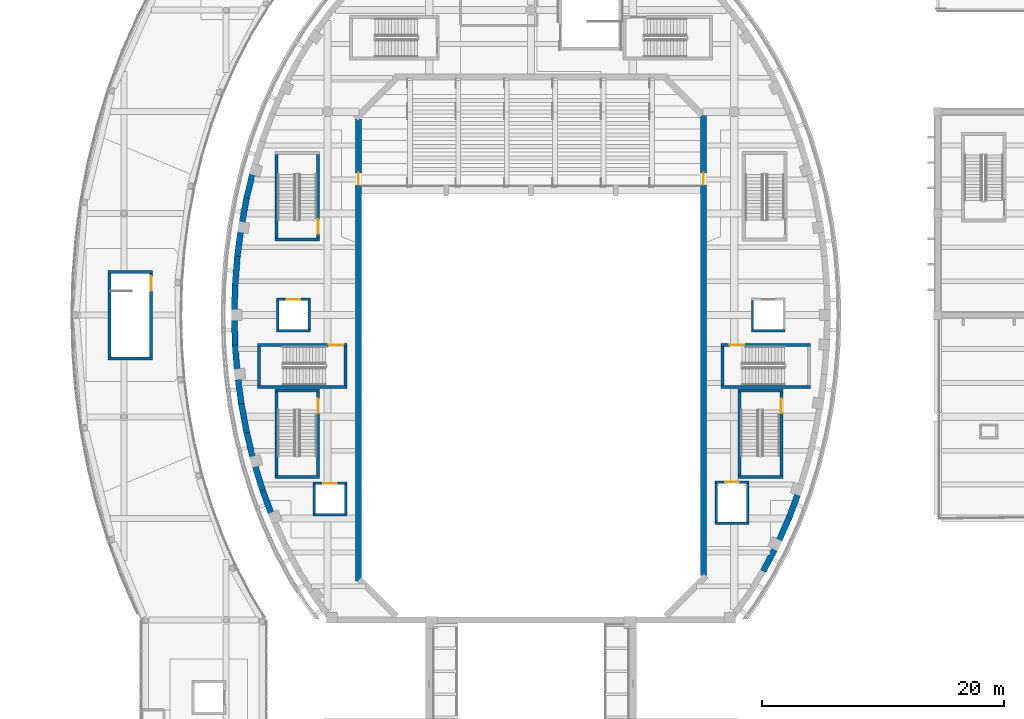
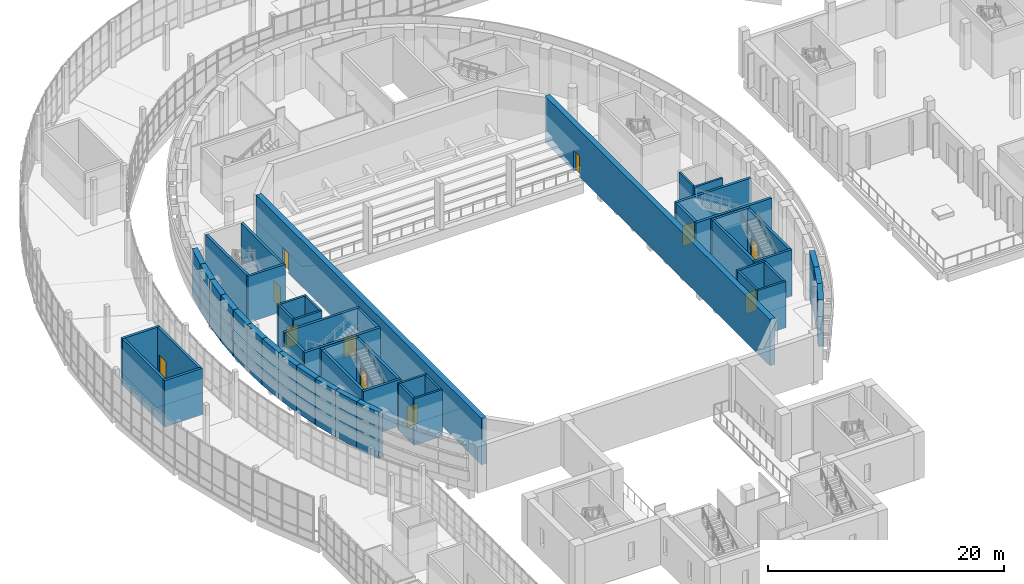
# One storey, part 59 of 103: 53 walls, 11 doors, 11 openings.
"""IFC4 building model written with IfcOpenShell, lengths in metres."""

from ifc_helpers import new_model, si_unit, direction, frame, frame_2d, origin, place, context, subcontext, project, spatial, rectangle, extrude, material, layer, layer_set, type_object, element, fill, save


model = new_model("IFC4")

# Units and contexts
model_context = context("Model", 3, precision=1e-05, world=origin(), true_north=direction((0.0, 1.0)))
body_context = subcontext(model_context, "Body", "Model", "MODEL_VIEW")
ifc_project = project(units=[si_unit("LENGTHUNIT", "METRE"), si_unit("AREAUNIT", "SQUARE_METRE"), si_unit("VOLUMEUNIT", "CUBIC_METRE"), si_unit("PLANEANGLEUNIT", "RADIAN"), si_unit("MASSUNIT", "GRAM", prefix="KILO")], contexts=[model_context])

# Site, building, storey
site_placement = place(None, origin())
site = spatial("IfcSite", under=ifc_project, at=site_placement, CompositionType="ELEMENT")
building_placement = place(site_placement, origin())
building = spatial("IfcBuilding", under=site, at=building_placement, Name="Larchfold Concert Hall", CompositionType="ELEMENT")
storey_placement = place(building_placement, frame((0.0, 0.0, 9.60009765625)))
storey = spatial("IfcBuildingStorey", under=building, at=storey_placement, Name="L02", CompositionType="ELEMENT", Elevation=9.60009765625)

# Wall
ifc_material_1 = material(Name="Concrete C40/50", Category="concrete")
ifc_layer_1 = layer(ifc_material_1, 0.199951171875)
ifc_layer_set_1 = layer_set([ifc_layer_1], Name="Concrete C40/50")
wall_type_1 = type_object("IfcWallType", Name="Wall RC 200 lift shaft", PredefinedType="SOLIDWALL", material=ifc_layer_set_1)
wall_1_placement = place(storey_placement, frame((57.800048828125, 67.400146484375, 0.0), z_axis=(0.0, 0.0, 1.0), x_axis=(1.0, 0.0, 0.0)))
element("IfcWall", 1, at=wall_1_placement, inside=storey, type_object=wall_type_1, Name="Wall W0131", PredefinedType="SOLIDWALL", context=body_context, shape_type="SweptSolid", body=[
    extrude(rectangle(XDim=2.800048828125, YDim=0.199951171875, at=frame_2d((1.39990234375, 0.0))), origin(), (0.0, 0.0, 1.0), 4.7998046875),
])

# Wall, opening, door
wall_2_placement = place(storey_placement, frame((57.800048828125, 70.7998046875, 0.0), z_axis=(0.0, 0.0, 1.0), x_axis=(1.0, 0.0, 0.0)))
wall_2 = element("IfcWall", 2, at=wall_2_placement, inside=storey, type_object=wall_type_1, Name="Wall W0132", PredefinedType="SOLIDWALL", context=body_context, shape_type="SweptSolid", body=[
    extrude(rectangle(XDim=2.800048828125, YDim=0.199951171875, at=frame_2d((1.39990234375, 0.0))), origin(), (0.0, 0.0, 1.0), 4.7998046875),
])
opening_1_placement = place(wall_2_placement, frame((0.85009765625, 0.0, 0.0)))
opening_1 = element("IfcOpeningElement", 3, at=opening_1_placement, cuts=wall_2, Name="Opening LD-LF01", PredefinedType="OPENING", context=body_context, shape_type="SweptSolid", body=[
    extrude(rectangle(XDim=1.10009765625, YDim=2.10009765625, at=frame_2d((0.550048828125, 1.050048828125))), frame((0.0, 0.10986328125, 0.0), z_axis=(0.0, -1.0, 0.0), x_axis=(1.0, 0.0, 0.0)), (0.0, 0.0, 1.0), 0.219970703125),
])
ifc_material_2 = material(Name="Stainless steel sliding leaves", Category="steel")
door_type_1 = type_object("IfcDoorType", Name="Lift landing door sliding 1100 x 2100", OperationType="SLIDING_TO_LEFT", PredefinedType="DOOR", material=ifc_material_2)
door_1_placement = place(opening_1_placement, origin())
door_1 = element("IfcDoor", 4, at=door_1_placement, inside=storey, type_object=door_type_1, Name="Lift landing door LF01", OperationType="SLIDING_TO_LEFT", OverallHeight=2.10009765625, OverallWidth=1.10009765625, PredefinedType="DOOR", context=body_context, shape_type="SweptSolid", body=[
    extrude(rectangle(XDim=1.10009765625, YDim=2.10009765625, at=frame_2d((0.550048828125, 1.050048828125))), frame((0.0, 0.02490234375, 0.0), z_axis=(0.0, -1.0, 0.0), x_axis=(1.0, 0.0, 0.0)), (0.0, 0.0, 1.0), 0.050048828125),
])
fill(opening_1, door_1)

# Walls
for number, where, z_axis, x_axis, name in (
    (5, (57.900146484375, 67.5, 0.0), (0.0, 0.0, 1.0), (0.0, 1.0, 0.0), "Wall W0133"),
    (6, (60.5, 67.5, 0.0), (0.0, 0.0, 1.0), (0.0, 1.0, 0.0), "Wall W0134"),
):
    element("IfcWall", number, at=place(storey_placement, frame(where, z_axis=z_axis, x_axis=x_axis)), inside=storey, type_object=wall_type_1, Name=name, PredefinedType="SOLIDWALL", context=body_context, shape_type="SweptSolid", body=[
        extrude(rectangle(XDim=3.199951171875, YDim=0.199951171875, at=frame_2d((1.60009765625, 0.0))), origin(), (0.0, 0.0, 1.0), 4.7998046875),
    ])
wall_3_placement = place(storey_placement, frame((24.60009765625, 68.10009765625, 0.0), z_axis=(0.0, 0.0, 1.0), x_axis=(1.0, 0.0, 0.0)))
element("IfcWall", 7, at=wall_3_placement, inside=storey, type_object=wall_type_1, Name="Wall W0135", PredefinedType="SOLIDWALL", context=body_context, shape_type="SweptSolid", body=[
    extrude(rectangle(XDim=2.7998046875, YDim=0.199951171875, at=frame_2d((1.39990234375, 0.0))), origin(), (0.0, 0.0, 1.0), 4.7998046875),
])

# Wall, opening, door
wall_4_placement = place(storey_placement, frame((24.60009765625, 70.699951171875, 0.0), z_axis=(0.0, 0.0, 1.0), x_axis=(1.0, 0.0, 0.0)))
wall_4 = element("IfcWall", 8, at=wall_4_placement, inside=storey, type_object=wall_type_1, Name="Wall W0136", PredefinedType="SOLIDWALL", context=body_context, shape_type="SweptSolid", body=[
    extrude(rectangle(XDim=2.7998046875, YDim=0.199951171875, at=frame_2d((1.39990234375, 0.0))), origin(), (0.0, 0.0, 1.0), 4.7998046875),
])
opening_2_placement = place(wall_4_placement, frame((0.849853515625, 0.0, 0.0)))
opening_2 = element("IfcOpeningElement", 9, at=opening_2_placement, cuts=wall_4, Name="Opening LD-LF02", PredefinedType="OPENING", context=body_context, shape_type="SweptSolid", body=[
    extrude(rectangle(XDim=1.10009765625, YDim=2.10009765625, at=frame_2d((0.550048828125, 1.050048828125))), frame((0.0, 0.10986328125, 0.0), z_axis=(0.0, -1.0, 0.0), x_axis=(1.0, 0.0, 0.0)), (0.0, 0.0, 1.0), 0.219970703125),
])
door_2_placement = place(opening_2_placement, origin())
door_2 = element("IfcDoor", 10, at=door_2_placement, inside=storey, type_object=door_type_1, Name="Lift landing door LF02", OperationType="SLIDING_TO_LEFT", OverallHeight=2.10009765625, OverallWidth=1.10009765625, PredefinedType="DOOR", context=body_context, shape_type="SweptSolid", body=[
    extrude(rectangle(XDim=1.10009765625, YDim=2.10009765625, at=frame_2d((0.550048828125, 1.050048828125))), frame((0.0, 0.02490234375, 0.0), z_axis=(0.0, -1.0, 0.0), x_axis=(1.0, 0.0, 0.0)), (0.0, 0.0, 1.0), 0.050048828125),
])
fill(opening_2, door_2)

# Walls
for number, where, z_axis, x_axis, name in (
    (11, (24.7001953125, 68.199951171875, 0.0), (0.0, 0.0, 1.0), (0.0, 1.0, 0.0), "Wall W0137"),
    (12, (27.2998046875, 68.199951171875, 0.0), (0.0, 0.0, 1.0), (0.0, 1.0, 0.0), "Wall W0138"),
):
    element("IfcWall", number, at=place(storey_placement, frame(where, z_axis=z_axis, x_axis=x_axis)), inside=storey, type_object=wall_type_1, Name=name, PredefinedType="SOLIDWALL", context=body_context, shape_type="SweptSolid", body=[
        extrude(rectangle(XDim=2.400146484375, YDim=0.199951171875, at=frame_2d((1.2001953125, 0.0))), origin(), (0.0, 0.0, 1.0), 4.7998046875),
    ])
wall_5_placement = place(storey_placement, frame((60.800048828125, 83.300048828125, 0.0), z_axis=(0.0, 0.0, 1.0), x_axis=(1.0, 0.0, 0.0)))
element("IfcWall", 13, at=wall_5_placement, inside=storey, type_object=wall_type_1, Name="Wall W0139", PredefinedType="SOLIDWALL", context=body_context, shape_type="SweptSolid", body=[
    extrude(rectangle(XDim=2.800048828125, YDim=0.199951171875, at=frame_2d((1.39990234375, 0.0))), origin(), (0.0, 0.0, 1.0), 4.7998046875),
])
wall_6_placement = place(storey_placement, frame((60.900146484375, 83.39990234375, 0.0), z_axis=(0.0, 0.0, 1.0), x_axis=(0.0, 1.0, 0.0)))
element("IfcWall", 14, at=wall_6_placement, inside=storey, type_object=wall_type_1, Name="Wall W0141", PredefinedType="SOLIDWALL", context=body_context, shape_type="SweptSolid", body=[
    extrude(rectangle(XDim=2.400146484375, YDim=0.199951171875, at=frame_2d((1.2001953125, 0.0))), origin(), (0.0, 0.0, 1.0), 4.7998046875),
])
wall_7_placement = place(storey_placement, frame((21.60009765625, 83.300048828125, 0.0), z_axis=(0.0, 0.0, 1.0), x_axis=(1.0, 0.0, 0.0)))
element("IfcWall", 15, at=wall_7_placement, inside=storey, type_object=wall_type_1, Name="Wall W0143", PredefinedType="SOLIDWALL", context=body_context, shape_type="SweptSolid", body=[
    extrude(rectangle(XDim=2.7998046875, YDim=0.199951171875, at=frame_2d((1.39990234375, 0.0))), origin(), (0.0, 0.0, 1.0), 4.7998046875),
])

# Wall, opening, door
wall_8_placement = place(storey_placement, frame((21.60009765625, 85.89990234375, 0.0), z_axis=(0.0, 0.0, 1.0), x_axis=(1.0, 0.0, 0.0)))
wall_8 = element("IfcWall", 16, at=wall_8_placement, inside=storey, type_object=wall_type_1, Name="Wall W0144", PredefinedType="SOLIDWALL", context=body_context, shape_type="SweptSolid", body=[
    extrude(rectangle(XDim=2.7998046875, YDim=0.199951171875, at=frame_2d((1.39990234375, 0.0))), origin(), (0.0, 0.0, 1.0), 4.7998046875),
])
opening_3_placement = place(wall_8_placement, frame((0.849853515625, 0.0, 0.0)))
opening_3 = element("IfcOpeningElement", 17, at=opening_3_placement, cuts=wall_8, Name="Opening LD-LF04", PredefinedType="OPENING", context=body_context, shape_type="SweptSolid", body=[
    extrude(rectangle(XDim=1.10009765625, YDim=2.10009765625, at=frame_2d((0.550048828125, 1.050048828125))), frame((0.0, 0.10986328125, 0.0), z_axis=(0.0, -1.0, 0.0), x_axis=(1.0, 0.0, 0.0)), (0.0, 0.0, 1.0), 0.219970703125),
])
door_3_placement = place(opening_3_placement, origin())
door_3 = element("IfcDoor", 18, at=door_3_placement, inside=storey, type_object=door_type_1, Name="Lift landing door LF04", OperationType="SLIDING_TO_LEFT", OverallHeight=2.10009765625, OverallWidth=1.10009765625, PredefinedType="DOOR", context=body_context, shape_type="SweptSolid", body=[
    extrude(rectangle(XDim=1.10009765625, YDim=2.10009765625, at=frame_2d((0.550048828125, 1.050048828125))), frame((0.0, 0.02490234375, 0.0), z_axis=(0.0, -1.0, 0.0), x_axis=(1.0, 0.0, 0.0)), (0.0, 0.0, 1.0), 0.050048828125),
])
fill(opening_3, door_3)

# Walls
for number, where, z_axis, x_axis, name in (
    (19, (21.7001953125, 83.39990234375, 0.0), (0.0, 0.0, 1.0), (0.0, 1.0, 0.0), "Wall W0145"),
    (20, (24.2998046875, 83.39990234375, 0.0), (0.0, 0.0, 1.0), (0.0, 1.0, 0.0), "Wall W0146"),
):
    element("IfcWall", number, at=place(storey_placement, frame(where, z_axis=z_axis, x_axis=x_axis)), inside=storey, type_object=wall_type_1, Name=name, PredefinedType="SOLIDWALL", context=body_context, shape_type="SweptSolid", body=[
        extrude(rectangle(XDim=2.400146484375, YDim=0.199951171875, at=frame_2d((1.2001953125, 0.0))), origin(), (0.0, 0.0, 1.0), 4.7998046875),
    ])
ifc_material_3 = material(Name="Concrete C40/50", Category="concrete")
ifc_layer_2 = layer(ifc_material_3, 0.25)
ifc_layer_set_2 = layer_set([ifc_layer_2], Name="Concrete C40/50")
wall_type_2 = type_object("IfcWallType", Name="Wall RC 250 stair core", PredefinedType="SOLIDWALL", material=ifc_layer_set_2)
wall_9_placement = place(storey_placement, frame((21.449951171875, 90.824951171875, 0.0), z_axis=(0.0, 0.0, 1.0), x_axis=(1.0, 0.0, 0.0)))
element("IfcWall", 21, at=wall_9_placement, inside=storey, type_object=wall_type_2, Name="Wall W0043", PredefinedType="SOLIDWALL", context=body_context, shape_type="SweptSolid", body=[
    extrude(rectangle(XDim=3.699951171875, YDim=0.25, at=frame_2d((1.85009765625, 0.0))), origin(), (0.0, 0.0, 1.0), 4.7998046875),
])
wall_10_placement = place(storey_placement, frame((21.574951171875, 90.949951171875, 0.0), z_axis=(0.0, 0.0, 1.0), x_axis=(0.0, 1.0, 0.0)))
element("IfcWall", 22, at=wall_10_placement, inside=storey, type_object=wall_type_2, Name="Wall W0045", PredefinedType="SOLIDWALL", context=body_context, shape_type="SweptSolid", body=[
    extrude(rectangle(XDim=6.900146484375, YDim=0.25, at=frame_2d((3.4501953125, 0.0))), origin(), (0.0, 0.0, 1.0), 4.7998046875),
])

# Wall, opening, door
wall_11_placement = place(storey_placement, frame((25.02490234375, 90.949951171875, 0.0), z_axis=(0.0, 0.0, 1.0), x_axis=(0.0, 1.0, 0.0)))
wall_11 = element("IfcWall", 23, at=wall_11_placement, inside=storey, type_object=wall_type_2, Name="Wall W0046", PredefinedType="SOLIDWALL", context=body_context, shape_type="SweptSolid", body=[
    extrude(rectangle(XDim=6.900146484375, YDim=0.25, at=frame_2d((3.4501953125, 0.0))), origin(), (0.0, 0.0, 1.0), 4.7998046875),
])
opening_4_placement = place(wall_11_placement, frame((0.35009765625, 0.0, 0.0)))
opening_4 = element("IfcOpeningElement", 24, at=opening_4_placement, cuts=wall_11, Name="Opening D-L02-140", PredefinedType="OPENING", context=body_context, shape_type="SweptSolid", body=[
    extrude(rectangle(XDim=1.199951171875, YDim=2.10009765625, at=frame_2d((0.60009765625, 1.050048828125))), frame((0.0, 0.135009765625, 0.0), z_axis=(0.0, -1.0, 0.0), x_axis=(1.0, 0.0, 0.0)), (0.0, 0.0, 1.0), 0.27001953125),
])
ifc_material_4 = material(Name="Timber door leaf", Category="wood")
door_type_2 = type_object("IfcDoorType", Name="Stair enclosure door pair 1200 x 2100 FD60", OperationType="SINGLE_SWING_LEFT", PredefinedType="DOOR", material=ifc_material_4)
door_4_placement = place(opening_4_placement, origin())
door_4 = element("IfcDoor", 25, at=door_4_placement, inside=storey, type_object=door_type_2, Name="Door D-L02-140", OperationType="DOUBLE_DOOR_SINGLE_SWING", OverallHeight=2.10009765625, OverallWidth=1.199951171875, PredefinedType="DOOR", context=body_context, shape_type="SweptSolid", body=[
    extrude(rectangle(XDim=1.199951171875, YDim=2.10009765625, at=frame_2d((0.60009765625, 1.050048828125))), frame((0.0, 0.02490234375, 0.0), z_axis=(0.0, -1.0, 0.0), x_axis=(1.0, 0.0, 0.0)), (0.0, 0.0, 1.0), 0.050048828125),
])
fill(opening_4, door_4)

# Walls
for number, where, z_axis, x_axis, name in (
    (26, (21.449951171875, 71.22509765625, 0.0), (0.0, 0.0, 1.0), (1.0, 0.0, 0.0), "Wall W0047"),
    (27, (21.449951171875, 78.375, 0.0), (0.0, 0.0, 1.0), (1.0, 0.0, 0.0), "Wall W0048"),
):
    element("IfcWall", number, at=place(storey_placement, frame(where, z_axis=z_axis, x_axis=x_axis)), inside=storey, type_object=wall_type_2, Name=name, PredefinedType="SOLIDWALL", context=body_context, shape_type="SweptSolid", body=[
        extrude(rectangle(XDim=3.699951171875, YDim=0.25, at=frame_2d((1.85009765625, 0.0))), origin(), (0.0, 0.0, 1.0), 4.7998046875),
    ])
wall_12_placement = place(storey_placement, frame((21.574951171875, 71.35009765625, 0.0), z_axis=(0.0, 0.0, 1.0), x_axis=(0.0, 1.0, 0.0)))
element("IfcWall", 28, at=wall_12_placement, inside=storey, type_object=wall_type_2, Name="Wall W0049", PredefinedType="SOLIDWALL", context=body_context, shape_type="SweptSolid", body=[
    extrude(rectangle(XDim=6.89990234375, YDim=0.25, at=frame_2d((3.449951171875, 0.0))), origin(), (0.0, 0.0, 1.0), 4.7998046875),
])

# Wall, opening, door
wall_13_placement = place(storey_placement, frame((25.02490234375, 71.35009765625, 0.0), z_axis=(0.0, 0.0, 1.0), x_axis=(0.0, 1.0, 0.0)))
wall_13 = element("IfcWall", 29, at=wall_13_placement, inside=storey, type_object=wall_type_2, Name="Wall W0050", PredefinedType="SOLIDWALL", context=body_context, shape_type="SweptSolid", body=[
    extrude(rectangle(XDim=6.89990234375, YDim=0.25, at=frame_2d((3.449951171875, 0.0))), origin(), (0.0, 0.0, 1.0), 4.7998046875),
])
opening_5_placement = place(wall_13_placement, frame((5.14990234375, 0.0, 0.0)))
opening_5 = element("IfcOpeningElement", 30, at=opening_5_placement, cuts=wall_13, Name="Opening D-L02-136", PredefinedType="OPENING", context=body_context, shape_type="SweptSolid", body=[
    extrude(rectangle(XDim=1.199951171875, YDim=2.10009765625, at=frame_2d((0.60009765625, 1.050048828125))), frame((0.0, 0.135009765625, 0.0), z_axis=(0.0, -1.0, 0.0), x_axis=(1.0, 0.0, 0.0)), (0.0, 0.0, 1.0), 0.27001953125),
])
door_5_placement = place(opening_5_placement, origin())
door_5 = element("IfcDoor", 31, at=door_5_placement, inside=storey, type_object=door_type_2, Name="Door D-L02-136", OperationType="DOUBLE_DOOR_SINGLE_SWING", OverallHeight=2.10009765625, OverallWidth=1.199951171875, PredefinedType="DOOR", context=body_context, shape_type="SweptSolid", body=[
    extrude(rectangle(XDim=1.199951171875, YDim=2.10009765625, at=frame_2d((0.60009765625, 1.050048828125))), frame((0.0, 0.02490234375, 0.0), z_axis=(0.0, -1.0, 0.0), x_axis=(1.0, 0.0, 0.0)), (0.0, 0.0, 1.0), 0.050048828125),
])
fill(opening_5, door_5)

# Walls
for number, where, z_axis, x_axis, name in (
    (32, (59.699951171875, 71.22509765625, 0.0), (0.0, 0.0, 1.0), (1.0, 0.0, 0.0), "Wall W0051"),
    (33, (59.699951171875, 78.375, 0.0), (0.0, 0.0, 1.0), (1.0, 0.0, 0.0), "Wall W0052"),
):
    element("IfcWall", number, at=place(storey_placement, frame(where, z_axis=z_axis, x_axis=x_axis)), inside=storey, type_object=wall_type_2, Name=name, PredefinedType="SOLIDWALL", context=body_context, shape_type="SweptSolid", body=[
        extrude(rectangle(XDim=3.699951171875, YDim=0.25, at=frame_2d((1.85009765625, 0.0))), origin(), (0.0, 0.0, 1.0), 4.7998046875),
    ])
wall_14_placement = place(storey_placement, frame((59.824951171875, 71.35009765625, 0.0), z_axis=(0.0, 0.0, 1.0), x_axis=(0.0, 1.0, 0.0)))
element("IfcWall", 34, at=wall_14_placement, inside=storey, type_object=wall_type_2, Name="Wall W0053", PredefinedType="SOLIDWALL", context=body_context, shape_type="SweptSolid", body=[
    extrude(rectangle(XDim=6.89990234375, YDim=0.25, at=frame_2d((3.449951171875, 0.0))), origin(), (0.0, 0.0, 1.0), 4.7998046875),
])

# Wall, opening, door
wall_15_placement = place(storey_placement, frame((63.27490234375, 71.35009765625, 0.0), z_axis=(0.0, 0.0, 1.0), x_axis=(0.0, 1.0, 0.0)))
wall_15 = element("IfcWall", 35, at=wall_15_placement, inside=storey, type_object=wall_type_2, Name="Wall W0054", PredefinedType="SOLIDWALL", context=body_context, shape_type="SweptSolid", body=[
    extrude(rectangle(XDim=6.89990234375, YDim=0.25, at=frame_2d((3.449951171875, 0.0))), origin(), (0.0, 0.0, 1.0), 4.7998046875),
])
opening_6_placement = place(wall_15_placement, frame((5.14990234375, 0.0, 0.0)))
opening_6 = element("IfcOpeningElement", 36, at=opening_6_placement, cuts=wall_15, Name="Opening D-L02-137", PredefinedType="OPENING", context=body_context, shape_type="SweptSolid", body=[
    extrude(rectangle(XDim=1.199951171875, YDim=2.10009765625, at=frame_2d((0.60009765625, 1.050048828125))), frame((0.0, 0.135009765625, 0.0), z_axis=(0.0, -1.0, 0.0), x_axis=(1.0, 0.0, 0.0)), (0.0, 0.0, 1.0), 0.27001953125),
])
door_6_placement = place(opening_6_placement, origin())
door_6 = element("IfcDoor", 37, at=door_6_placement, inside=storey, type_object=door_type_2, Name="Door D-L02-137", OperationType="DOUBLE_DOOR_SINGLE_SWING", OverallHeight=2.10009765625, OverallWidth=1.199951171875, PredefinedType="DOOR", context=body_context, shape_type="SweptSolid", body=[
    extrude(rectangle(XDim=1.199951171875, YDim=2.10009765625, at=frame_2d((0.60009765625, 1.050048828125))), frame((0.0, 0.02490234375, 0.0), z_axis=(0.0, -1.0, 0.0), x_axis=(1.0, 0.0, 0.0)), (0.0, 0.0, 1.0), 0.050048828125),
])
fill(opening_6, door_6)

# Wall
wall_16_placement = place(storey_placement, frame((20.0, 78.675048828125, 0.0), z_axis=(0.0, 0.0, 1.0), x_axis=(1.0, 0.0, 0.0)))
element("IfcWall", 38, at=wall_16_placement, inside=storey, type_object=wall_type_2, Name="Wall W0055", PredefinedType="SOLIDWALL", context=body_context, shape_type="SweptSolid", body=[
    extrude(rectangle(XDim=7.39990234375, YDim=0.25, at=frame_2d((3.699951171875, 0.0))), origin(), (0.0, 0.0, 1.0), 4.7998046875),
])

# Wall, opening, door
wall_17_placement = place(storey_placement, frame((20.0, 82.125, 0.0), z_axis=(0.0, 0.0, 1.0), x_axis=(1.0, 0.0, 0.0)))
wall_17 = element("IfcWall", 39, at=wall_17_placement, inside=storey, type_object=wall_type_2, Name="Wall W0056", PredefinedType="SOLIDWALL", context=body_context, shape_type="SweptSolid", body=[
    extrude(rectangle(XDim=7.39990234375, YDim=0.25, at=frame_2d((3.699951171875, 0.0))), origin(), (0.0, 0.0, 1.0), 4.7998046875),
])
opening_7_placement = place(wall_17_placement, frame((5.89990234375, 0.0, 0.0)))
opening_7 = element("IfcOpeningElement", 40, at=opening_7_placement, cuts=wall_17, Name="Opening D-L02-138", PredefinedType="OPENING", context=body_context, shape_type="SweptSolid", body=[
    extrude(rectangle(XDim=1.199951171875, YDim=2.10009765625, at=frame_2d((0.60009765625, 1.050048828125))), frame((0.0, 0.135009765625, 0.0), z_axis=(0.0, -1.0, 0.0), x_axis=(1.0, 0.0, 0.0)), (0.0, 0.0, 1.0), 0.27001953125),
])
door_7_placement = place(opening_7_placement, origin())
door_7 = element("IfcDoor", 41, at=door_7_placement, inside=storey, type_object=door_type_2, Name="Door D-L02-138", OperationType="DOUBLE_DOOR_SINGLE_SWING", OverallHeight=2.10009765625, OverallWidth=1.199951171875, PredefinedType="DOOR", context=body_context, shape_type="SweptSolid", body=[
    extrude(rectangle(XDim=1.199951171875, YDim=2.10009765625, at=frame_2d((0.60009765625, 1.050048828125))), frame((0.0, 0.02490234375, 0.0), z_axis=(0.0, -1.0, 0.0), x_axis=(1.0, 0.0, 0.0)), (0.0, 0.0, 1.0), 0.050048828125),
])
fill(opening_7, door_7)

# Walls
for number, where, z_axis, x_axis, name in (
    (42, (20.125, 78.800048828125, 0.0), (0.0, 0.0, 1.0), (0.0, 1.0, 0.0), "Wall W0057"),
    (43, (27.27490234375, 78.800048828125, 0.0), (0.0, 0.0, 1.0), (0.0, 1.0, 0.0), "Wall W0058"),
):
    element("IfcWall", number, at=place(storey_placement, frame(where, z_axis=z_axis, x_axis=x_axis)), inside=storey, type_object=wall_type_2, Name=name, PredefinedType="SOLIDWALL", context=body_context, shape_type="SweptSolid", body=[
        extrude(rectangle(XDim=3.199951171875, YDim=0.25, at=frame_2d((1.60009765625, 0.0))), origin(), (0.0, 0.0, 1.0), 4.7998046875),
    ])
wall_18_placement = place(storey_placement, frame((58.300048828125, 78.675048828125, 0.0), z_axis=(0.0, 0.0, 1.0), x_axis=(1.0, 0.0, 0.0)))
element("IfcWall", 44, at=wall_18_placement, inside=storey, type_object=wall_type_2, Name="Wall W0059", PredefinedType="SOLIDWALL", context=body_context, shape_type="SweptSolid", body=[
    extrude(rectangle(XDim=7.39990234375, YDim=0.25, at=frame_2d((3.699951171875, 0.0))), origin(), (0.0, 0.0, 1.0), 4.7998046875),
])

# Wall, opening, door
wall_19_placement = place(storey_placement, frame((58.300048828125, 82.125, 0.0), z_axis=(0.0, 0.0, 1.0), x_axis=(1.0, 0.0, 0.0)))
wall_19 = element("IfcWall", 45, at=wall_19_placement, inside=storey, type_object=wall_type_2, Name="Wall W0060", PredefinedType="SOLIDWALL", context=body_context, shape_type="SweptSolid", body=[
    extrude(rectangle(XDim=7.39990234375, YDim=0.25, at=frame_2d((3.699951171875, 0.0))), origin(), (0.0, 0.0, 1.0), 4.7998046875),
])
opening_8_placement = place(wall_19_placement, frame((0.699951171875, 0.0, 0.0)))
opening_8 = element("IfcOpeningElement", 46, at=opening_8_placement, cuts=wall_19, Name="Opening D-L02-139", PredefinedType="OPENING", context=body_context, shape_type="SweptSolid", body=[
    extrude(rectangle(XDim=1.199951171875, YDim=2.10009765625, at=frame_2d((0.60009765625, 1.050048828125))), frame((0.0, 0.135009765625, 0.0), z_axis=(0.0, -1.0, 0.0), x_axis=(1.0, 0.0, 0.0)), (0.0, 0.0, 1.0), 0.27001953125),
])
door_8_placement = place(opening_8_placement, origin())
door_8 = element("IfcDoor", 47, at=door_8_placement, inside=storey, type_object=door_type_2, Name="Door D-L02-139", OperationType="DOUBLE_DOOR_SINGLE_SWING", OverallHeight=2.10009765625, OverallWidth=1.199951171875, PredefinedType="DOOR", context=body_context, shape_type="SweptSolid", body=[
    extrude(rectangle(XDim=1.199951171875, YDim=2.10009765625, at=frame_2d((0.60009765625, 1.050048828125))), frame((0.0, 0.02490234375, 0.0), z_axis=(0.0, -1.0, 0.0), x_axis=(1.0, 0.0, 0.0)), (0.0, 0.0, 1.0), 0.050048828125),
])
fill(opening_8, door_8)

# Walls
wall_20_placement = place(storey_placement, frame((58.425048828125, 78.800048828125, 0.0), z_axis=(0.0, 0.0, 1.0), x_axis=(0.0, 1.0, 0.0)))
element("IfcWall", 48, at=wall_20_placement, inside=storey, type_object=wall_type_2, Name="Wall W0061", PredefinedType="SOLIDWALL", context=body_context, shape_type="SweptSolid", body=[
    extrude(rectangle(XDim=3.199951171875, YDim=0.25, at=frame_2d((1.60009765625, 0.0))), origin(), (0.0, 0.0, 1.0), 4.7998046875),
])
for number, where, z_axis, x_axis, name in (
    (49, (7.64990234375, 81.02490234375, 0.0), (0.0, 0.0, 1.0), (1.0, 0.0, 0.0), "Wall W0115"),
    (50, (7.64990234375, 88.175048828125, 0.0), (0.0, 0.0, 1.0), (1.0, 0.0, 0.0), "Wall W0116"),
):
    element("IfcWall", number, at=place(storey_placement, frame(where, z_axis=z_axis, x_axis=x_axis)), inside=storey, type_object=wall_type_2, Name=name, PredefinedType="SOLIDWALL", context=body_context, shape_type="SweptSolid", body=[
        extrude(rectangle(XDim=3.7001953125, YDim=0.25, at=frame_2d((1.85009765625, 0.0))), origin(), (0.0, 0.0, 1.0), 4.7998046875),
    ])
wall_21_placement = place(storey_placement, frame((7.77490234375, 81.14990234375, 0.0), z_axis=(0.0, 0.0, 1.0), x_axis=(0.0, 1.0, 0.0)))
element("IfcWall", 51, at=wall_21_placement, inside=storey, type_object=wall_type_2, Name="Wall W0117", PredefinedType="SOLIDWALL", context=body_context, shape_type="SweptSolid", body=[
    extrude(rectangle(XDim=6.900146484375, YDim=0.25, at=frame_2d((3.4501953125, 0.0))), origin(), (0.0, 0.0, 1.0), 4.7998046875),
])

# Wall, opening, door
wall_22_placement = place(storey_placement, frame((11.22509765625, 81.14990234375, 0.0), z_axis=(0.0, 0.0, 1.0), x_axis=(0.0, 1.0, 0.0)))
wall_22 = element("IfcWall", 52, at=wall_22_placement, inside=storey, type_object=wall_type_2, Name="Wall W0118", PredefinedType="SOLIDWALL", context=body_context, shape_type="SweptSolid", body=[
    extrude(rectangle(XDim=6.900146484375, YDim=0.25, at=frame_2d((3.4501953125, 0.0))), origin(), (0.0, 0.0, 1.0), 4.7998046875),
])
opening_9_placement = place(wall_22_placement, frame((5.449951171875, 0.0, 0.0)))
opening_9 = element("IfcOpeningElement", 53, at=opening_9_placement, cuts=wall_22, Name="Opening D-L02-158", PredefinedType="OPENING", context=body_context, shape_type="SweptSolid", body=[
    extrude(rectangle(XDim=1.199951171875, YDim=2.10009765625, at=frame_2d((0.60009765625, 1.050048828125))), frame((0.0, 0.135009765625, 0.0), z_axis=(0.0, -1.0, 0.0), x_axis=(1.0, 0.0, 0.0)), (0.0, 0.0, 1.0), 0.27001953125),
])
door_9_placement = place(opening_9_placement, origin())
door_9 = element("IfcDoor", 54, at=door_9_placement, inside=storey, type_object=door_type_2, Name="Door D-L02-158", OperationType="DOUBLE_DOOR_SINGLE_SWING", OverallHeight=2.10009765625, OverallWidth=1.199951171875, PredefinedType="DOOR", context=body_context, shape_type="SweptSolid", body=[
    extrude(rectangle(XDim=1.199951171875, YDim=2.10009765625, at=frame_2d((0.60009765625, 1.050048828125))), frame((0.0, 0.02490234375, 0.0), z_axis=(0.0, -1.0, 0.0), x_axis=(1.0, 0.0, 0.0)), (0.0, 0.0, 1.0), 0.050048828125),
])
fill(opening_9, door_9)

# Walls
ifc_material_5 = material(Name="Concrete C30/37", Category="concrete")
ifc_layer_3 = layer(ifc_material_5, 0.5)
ifc_layer_set_3 = layer_set([ifc_layer_3], Name="Concrete C30/37")
wall_type_3 = type_object("IfcWallType", Name="Wall RC 500 drum facade", PredefinedType="SOLIDWALL", material=ifc_layer_set_3)
for number, where, z_axis, x_axis, name in (
    (55, (19.685302734375, 96.63134765625, 0.0), (0.0, 0.0, 1.0), (-0.235921551206, -0.971772103776, 0.0), "Wall DW034"),
    (56, (19.111083984375, 94.26611328125, 0.0), (0.0, 0.0, 1.0), (-0.182362243365, -0.983231413348, 0.0), "Wall DW035"),
    (57, (18.667236328125, 91.873046875, 0.0), (0.0, 0.0, 1.0), (-0.129699392582, -0.991553360926, 0.0), "Wall DW036"),
    (58, (18.3515625, 89.459716796875, 0.0), (0.0, 0.0, 1.0), (-0.077540262419, -0.996989221458, 0.0), "Wall DW037"),
    (59, (18.162841796875, 87.033203125, 0.0), (0.0, 0.0, 1.0), (-0.025779107921, -0.999667663574, 0.0), "Wall DW038"),
):
    element("IfcWall", number, at=place(storey_placement, frame(where, z_axis=z_axis, x_axis=x_axis)), inside=storey, type_object=wall_type_3, Name=name, PredefinedType="SOLIDWALL", context=body_context, shape_type="SweptSolid", body=[
        extrude(rectangle(XDim=2.433837890625, YDim=0.5, at=frame_2d((1.216796875, 0.0))), origin(), (0.0, 0.0, 1.0), 4.7998046875),
    ])
wall_23_placement = place(storey_placement, frame((18.10009765625, 84.60009765625, 0.0), z_axis=(0.0, 0.0, 1.0), x_axis=(0.02591869307, -0.999664054245, 0.0)))
element("IfcWall", 60, at=wall_23_placement, inside=storey, type_object=wall_type_3, Name="Wall DW039", PredefinedType="SOLIDWALL", context=body_context, shape_type="SweptSolid", body=[
    extrude(rectangle(XDim=2.448974609375, YDim=0.5, at=frame_2d((1.224609375, 0.0))), origin(), (0.0, 0.0, 1.0), 4.7998046875),
])
wall_24_placement = place(storey_placement, frame((18.16357421875, 82.15185546875, 0.0), z_axis=(0.0, 0.0, 1.0), x_axis=(0.078053315948, -0.996949186202, 0.0)))
element("IfcWall", 61, at=wall_24_placement, inside=storey, type_object=wall_type_3, Name="Wall DW040", PredefinedType="SOLIDWALL", context=body_context, shape_type="SweptSolid", body=[
    extrude(rectangle(XDim=2.44921875, YDim=0.5, at=frame_2d((1.224609375, 0.0))), origin(), (0.0, 0.0, 1.0), 4.7998046875),
])
for number, where, z_axis, x_axis, name in (
    (62, (18.354736328125, 79.710205078125, 0.0), (0.0, 0.0, 1.0), (0.130498353005, -0.991448526078, 0.0), "Wall DW041"),
    (63, (18.67431640625, 77.2822265625, 0.0), (0.0, 0.0, 1.0), (0.183524085598, -0.983015213517, 0.0), "Wall DW042"),
    (64, (19.123779296875, 74.874755859375, 0.0), (0.0, 0.0, 1.0), (0.237465633216, -0.971395940408, 0.0), "Wall DW043"),
    (65, (19.705322265625, 72.495849609375, 0.0), (0.0, 0.0, 1.0), (0.29250219685, -0.95626485078, 0.0), "Wall DW044"),
    (66, (20.421630859375, 70.154052734375, 0.0), (0.0, 0.0, 1.0), (0.348817204426, -0.937190779882, 0.0), "Wall DW045"),
    (67, (61.785888671875, 63.45556640625, 0.0), (0.0, 0.0, 1.0), (0.466448872517, 0.884548161112, 0.0), "Wall DW053"),
):
    element("IfcWall", number, at=place(storey_placement, frame(where, z_axis=z_axis, x_axis=x_axis)), inside=storey, type_object=wall_type_3, Name=name, PredefinedType="SOLIDWALL", context=body_context, shape_type="SweptSolid", body=[
        extrude(rectangle(XDim=2.448974609375, YDim=0.5, at=frame_2d((1.224609375, 0.0))), origin(), (0.0, 0.0, 1.0), 4.7998046875),
    ])
wall_25_placement = place(storey_placement, frame((62.92822265625, 65.621826171875, 0.0), z_axis=(0.0, 0.0, 1.0), x_axis=(0.406767391574, 0.913531766909, 0.0)))
element("IfcWall", 68, at=wall_25_placement, inside=storey, type_object=wall_type_3, Name="Wall DW054", PredefinedType="SOLIDWALL", context=body_context, shape_type="SweptSolid", body=[
    extrude(rectangle(XDim=2.44873046875, YDim=0.5, at=frame_2d((1.224365234375, 0.0))), origin(), (0.0, 0.0, 1.0), 4.7998046875),
])
wall_26_placement = place(storey_placement, frame((63.92431640625, 67.85888671875, 0.0), z_axis=(0.0, 0.0, 1.0), x_axis=(0.348817204426, 0.937190779882, 0.0)))
element("IfcWall", 69, at=wall_26_placement, inside=storey, type_object=wall_type_3, Name="Wall DW055", PredefinedType="SOLIDWALL", context=body_context, shape_type="SweptSolid", body=[
    extrude(rectangle(XDim=2.448974609375, YDim=0.5, at=frame_2d((1.224609375, 0.0))), origin(), (0.0, 0.0, 1.0), 4.7998046875),
])

# Wall, opening, door
ifc_material_6 = material(Name="Concrete C40/50", Category="concrete")
ifc_layer_4 = layer(ifc_material_6, 0.5)
ifc_layer_set_4 = layer_set([ifc_layer_4], Name="Concrete C40/50")
wall_type_4 = type_object("IfcWallType", Name="Wall RC 500 hall shell", PredefinedType="SOLIDWALL", material=ifc_layer_set_4)
wall_27_placement = place(storey_placement, frame((56.85009765625, 63.10009765625, 0.0), z_axis=(0.0, 0.0, 1.0), x_axis=(0.0, 1.0, 0.0)))
wall_27 = element("IfcWall", 70, at=wall_27_placement, inside=storey, type_object=wall_type_4, Name="Wall W0002", PredefinedType="SOLIDWALL", context=body_context, shape_type="SweptSolid", body=[
    extrude(rectangle(XDim=38.151123046875, YDim=0.5, at=frame_2d((19.07568359375, 0.0))), origin(), (0.0, 0.0, 1.0), 4.7998046875),
])
opening_10_placement = place(wall_27_placement, frame((33.25, 0.0, 0.0), z_axis=(0.0, 0.0, 1.0), x_axis=(-1.0, 0.0, 0.0)))
opening_10 = element("IfcOpeningElement", 71, at=opening_10_placement, cuts=wall_27, Name="Opening D-L02-162", PredefinedType="OPENING", context=body_context, shape_type="SweptSolid", body=[
    extrude(rectangle(XDim=1.0, YDim=2.10009765625, at=frame_2d((0.5, 1.050048828125))), frame((0.0, 0.260009765625, 0.0), z_axis=(0.0, -1.0, 0.0), x_axis=(1.0, 0.0, 0.0)), (0.0, 0.0, 1.0), 0.52001953125),
])
ifc_material_7 = material(Name="Timber door leaf", Category="wood")
door_type_3 = type_object("IfcDoorType", Name="Hall vomitory door pair, acoustic 1000 x 2100 FD60", OperationType="SINGLE_SWING_LEFT", PredefinedType="DOOR", material=ifc_material_7)
door_10_placement = place(opening_10_placement, origin())
door_10 = element("IfcDoor", 72, at=door_10_placement, inside=storey, type_object=door_type_3, Name="Door D-L02-162", OperationType="SINGLE_SWING_RIGHT", OverallHeight=2.10009765625, OverallWidth=1.0, PredefinedType="DOOR", context=body_context, shape_type="SweptSolid", body=[
    extrude(rectangle(XDim=1.0, YDim=2.10009765625, at=frame_2d((0.5, 1.050048828125))), frame((0.0, 0.02490234375, 0.0), z_axis=(0.0, -1.0, 0.0), x_axis=(1.0, 0.0, 0.0)), (0.0, 0.0, 1.0), 0.050048828125),
])
fill(opening_10, door_10)

wall_28_placement = place(storey_placement, frame((28.35009765625, 100.800048828125, 0.0), z_axis=(0.0, 0.0, 1.0), x_axis=(0.0, -1.0, 0.0)))
wall_28 = element("IfcWall", 73, at=wall_28_placement, inside=storey, type_object=wall_type_4, Name="Wall W0006", PredefinedType="SOLIDWALL", context=body_context, shape_type="SweptSolid", body=[
    extrude(rectangle(XDim=38.1513671875, YDim=0.5, at=frame_2d((19.07568359375, 0.0))), origin(), (0.0, 0.0, 1.0), 4.7998046875),
])
opening_11_placement = place(wall_28_placement, frame((5.449951171875, 0.0, 0.0), z_axis=(0.0, 0.0, 1.0), x_axis=(-1.0, 0.0, 0.0)))
opening_11 = element("IfcOpeningElement", 74, at=opening_11_placement, cuts=wall_28, Name="Opening D-L02-161", PredefinedType="OPENING", context=body_context, shape_type="SweptSolid", body=[
    extrude(rectangle(XDim=1.0, YDim=2.10009765625, at=frame_2d((0.5, 1.050048828125))), frame((0.0, 0.260009765625, 0.0), z_axis=(0.0, -1.0, 0.0), x_axis=(1.0, 0.0, 0.0)), (0.0, 0.0, 1.0), 0.52001953125),
])
door_11_placement = place(opening_11_placement, origin())
door_11 = element("IfcDoor", 75, at=door_11_placement, inside=storey, type_object=door_type_3, Name="Door D-L02-161", OperationType="SINGLE_SWING_LEFT", OverallHeight=2.10009765625, OverallWidth=1.0, PredefinedType="DOOR", context=body_context, shape_type="SweptSolid", body=[
    extrude(rectangle(XDim=1.0, YDim=2.10009765625, at=frame_2d((0.5, 1.050048828125))), frame((0.0, 0.02490234375, 0.0), z_axis=(0.0, -1.0, 0.0), x_axis=(1.0, 0.0, 0.0)), (0.0, 0.0, 1.0), 0.050048828125),
])
fill(opening_11, door_11)

save(model, "model.ifc")
